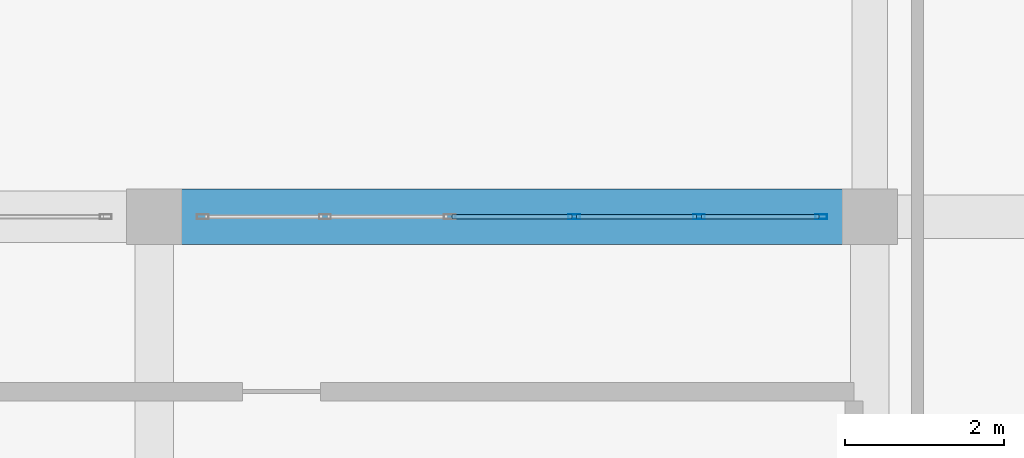
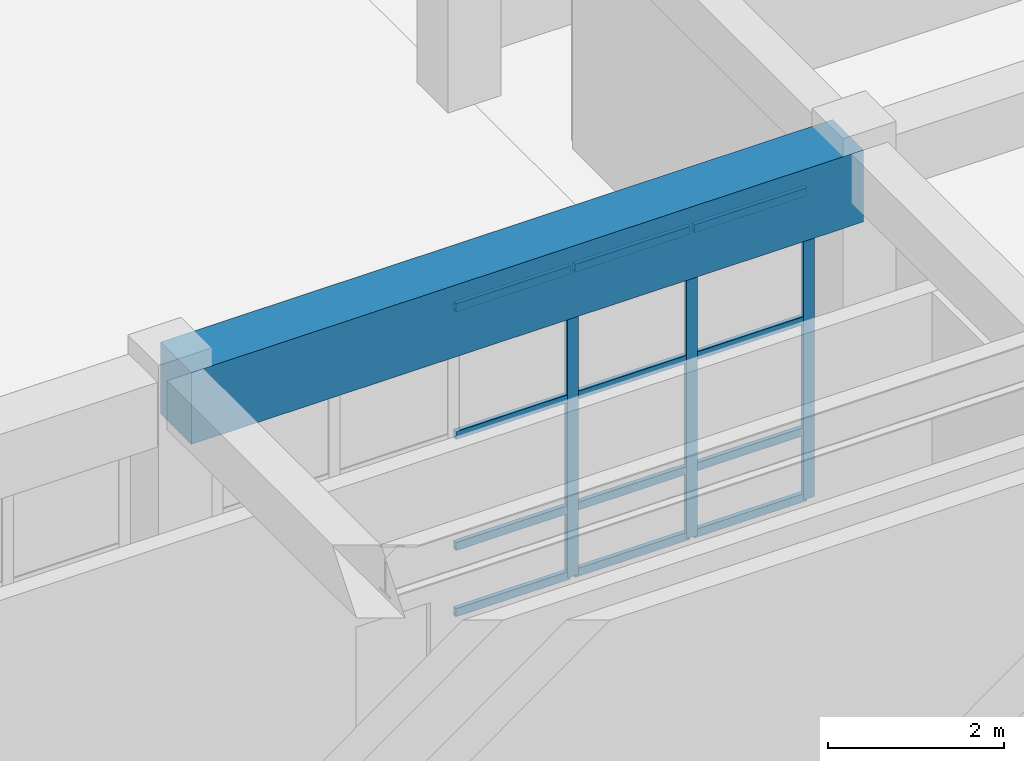
# One storey, part 73 of 128: 15 members, 1 beam, 1 element without a shape of its own.
"""IFC4 building model written with IfcOpenShell, lengths in metres."""

from ifc_helpers import new_model, si_unit, direction, frame, origin, origin_2d, place, context, subcontext, project, spatial, rectangle, hollow_rectangle, extrude, material, material_profile, profile_set, type_object, element, aggregate, save


model = new_model("IFC4")

# Units and contexts
model_context = context("Model", 3, precision=1e-05, world=origin(), true_north=direction((0.0, 1.0)))
body_context = subcontext(model_context, "Body", "Model", "MODEL_VIEW")
ifc_project = project(units=[si_unit("LENGTHUNIT", "METRE"), si_unit("AREAUNIT", "SQUARE_METRE"), si_unit("VOLUMEUNIT", "CUBIC_METRE"), si_unit("PLANEANGLEUNIT", "RADIAN"), si_unit("MASSUNIT", "GRAM", prefix="KILO")], contexts=[model_context])

# Site, building, storey
site_placement = place(None, origin())
site = spatial("IfcSite", under=ifc_project, at=site_placement, CompositionType="ELEMENT")
building_placement = place(site_placement, origin())
building = spatial("IfcBuilding", under=site, at=building_placement, Name="Miravela Opera House", CompositionType="ELEMENT")
storey_placement = place(building_placement, origin())
storey = spatial("IfcBuildingStorey", under=building, at=storey_placement, Name="L00", CompositionType="ELEMENT", Elevation=0.0)

# Curtain wall, members
ifc_material_1 = material(Name="Anodised architectural bronze aluminium 6063-T6", Category="aluminium")
curtain_wall_type = type_object("IfcCurtainWallType", Name="ARC-CW-06", PredefinedType="NOTDEFINED", material=ifc_material_1)
curtain_wall_placement = place(storey_placement, origin())
curtain_wall = element("IfcCurtainWall", 1, at=curtain_wall_placement, inside=storey, type_object=curtain_wall_type, Name="Courtyard Arcade Curtain Wall CW-L00-167", PredefinedType="NOTDEFINED")
ifc_material_profile_1 = material_profile(ifc_material_1, hollow_rectangle(XDim=0.06005859375, YDim=0.14990234375, WallThickness=0.00390625, InnerFilletRadius=0.001953125, OuterFilletRadius=0.00390625, at=origin_2d()), Name="CWM-60X150")
ifc_profile_set_1 = profile_set([ifc_material_profile_1])
member_type_1 = type_object("IfcMemberType", Name="ARC-CWM-150", PredefinedType="MULLION", material=ifc_profile_set_1)
member_1_placement = place(storey_placement, frame((140.283935546875, 9.0, 0.0), z_axis=(0.0, 0.0, 1.0), x_axis=(0.0, 1.0, 0.0)))
member_1 = element("IfcMember", 2, at=member_1_placement, type_object=member_type_1, Name="CW-06 mullion 4", PredefinedType="MULLION", context=body_context, shape_type="SweptSolid", body=[
    extrude(hollow_rectangle(XDim=0.06005859375, YDim=0.14990234375, WallThickness=0.00390625, InnerFilletRadius=0.001953125, OuterFilletRadius=0.00390625, at=origin_2d()), origin(), (0.0, 0.0, 1.0), 4.300048828125),
])
member_2_placement = place(storey_placement, frame((141.85205078125, 9.0, 0.0), z_axis=(0.0, 0.0, 1.0), x_axis=(0.0, 1.0, 0.0)))
member_2 = element("IfcMember", 3, at=member_2_placement, type_object=member_type_1, Name="CW-06 mullion 5", PredefinedType="MULLION", context=body_context, shape_type="SweptSolid", body=[
    extrude(hollow_rectangle(XDim=0.06005859375, YDim=0.14990234375, WallThickness=0.00390625, InnerFilletRadius=0.001953125, OuterFilletRadius=0.00390625, at=origin_2d()), origin(), (0.0, 0.0, 1.0), 4.300048828125),
])
member_3_placement = place(storey_placement, frame((143.389892578125, 9.0, 0.0), z_axis=(0.0, 0.0, 1.0), x_axis=(0.0, 1.0, 0.0)))
member_3 = element("IfcMember", 4, at=member_3_placement, type_object=member_type_1, Name="CW-06 mullion 6", PredefinedType="MULLION", context=body_context, shape_type="SweptSolid", body=[
    extrude(hollow_rectangle(XDim=0.06005859375, YDim=0.14990234375, WallThickness=0.00390625, InnerFilletRadius=0.001953125, OuterFilletRadius=0.00390625, at=origin_2d()), origin(), (0.0, 0.0, 1.0), 4.300048828125),
])
ifc_material_profile_2 = material_profile(ifc_material_1, hollow_rectangle(XDim=0.06005859375, YDim=0.114990234375, WallThickness=0.00390625, InnerFilletRadius=0.001953125, OuterFilletRadius=0.00390625, at=origin_2d()), Name="CWT-60X115")
ifc_profile_set_2 = profile_set([ifc_material_profile_2])
member_type_2 = type_object("IfcMemberType", Name="ARC-CWT-115", PredefinedType="USERDEFINED", material=ifc_profile_set_2)
member_4_placement = place(storey_placement, frame((138.74609375, 9.0, 0.030029296875), z_axis=(1.0, 0.0, 0.0), x_axis=(0.0, 1.0, 0.0)))
member_4 = element("IfcMember", 5, at=member_4_placement, type_object=member_type_2, Name="CW-06 transom 3.1", ObjectType="TRANSOM", PredefinedType="USERDEFINED", context=body_context, shape_type="SweptSolid", body=[
    extrude(hollow_rectangle(XDim=0.06005859375, YDim=0.114990234375, WallThickness=0.00390625, InnerFilletRadius=0.001953125, OuterFilletRadius=0.00390625, at=origin_2d()), origin(), (0.0, 0.0, 1.0), 1.5078125),
])
member_5_placement = place(storey_placement, frame((138.74609375, 9.0, 0.949951171875), z_axis=(1.0, 0.0, 0.0), x_axis=(0.0, 1.0, 0.0)))
member_5 = element("IfcMember", 6, at=member_5_placement, type_object=member_type_2, Name="CW-06 transom 3.2", ObjectType="TRANSOM", PredefinedType="USERDEFINED", context=body_context, shape_type="SweptSolid", body=[
    extrude(hollow_rectangle(XDim=0.06005859375, YDim=0.114990234375, WallThickness=0.00390625, InnerFilletRadius=0.001953125, OuterFilletRadius=0.00390625, at=origin_2d()), origin(), (0.0, 0.0, 1.0), 1.5078125),
])
member_6_placement = place(storey_placement, frame((138.74609375, 9.0, 2.493896484375), z_axis=(1.0, 0.0, 0.0), x_axis=(0.0, 1.0, 0.0)))
member_6 = element("IfcMember", 7, at=member_6_placement, type_object=member_type_2, Name="CW-06 transom 3.3", ObjectType="TRANSOM", PredefinedType="USERDEFINED", context=body_context, shape_type="SweptSolid", body=[
    extrude(hollow_rectangle(XDim=0.06005859375, YDim=0.114990234375, WallThickness=0.00390625, InnerFilletRadius=0.001953125, OuterFilletRadius=0.00390625, at=origin_2d()), origin(), (0.0, 0.0, 1.0), 1.5078125),
])
member_7_placement = place(storey_placement, frame((138.74609375, 9.0, 4.27001953125), z_axis=(1.0, 0.0, 0.0), x_axis=(0.0, 1.0, 0.0)))
member_7 = element("IfcMember", 8, at=member_7_placement, type_object=member_type_2, Name="CW-06 transom 3.4", ObjectType="TRANSOM", PredefinedType="USERDEFINED", context=body_context, shape_type="SweptSolid", body=[
    extrude(hollow_rectangle(XDim=0.06005859375, YDim=0.114990234375, WallThickness=0.00390625, InnerFilletRadius=0.001953125, OuterFilletRadius=0.00390625, at=origin_2d()), origin(), (0.0, 0.0, 1.0), 1.5078125),
])
member_8_placement = place(storey_placement, frame((140.31396484375, 9.0, 0.030029296875), z_axis=(1.0, 0.0, 0.0), x_axis=(0.0, 1.0, 0.0)))
member_8 = element("IfcMember", 9, at=member_8_placement, type_object=member_type_2, Name="CW-06 transom 4.1", ObjectType="TRANSOM", PredefinedType="USERDEFINED", context=body_context, shape_type="SweptSolid", body=[
    extrude(hollow_rectangle(XDim=0.06005859375, YDim=0.114990234375, WallThickness=0.00390625, InnerFilletRadius=0.001953125, OuterFilletRadius=0.00390625, at=origin_2d()), origin(), (0.0, 0.0, 1.0), 1.508056640625),
])
member_9_placement = place(storey_placement, frame((140.31396484375, 9.0, 0.949951171875), z_axis=(1.0, 0.0, 0.0), x_axis=(0.0, 1.0, 0.0)))
member_9 = element("IfcMember", 10, at=member_9_placement, type_object=member_type_2, Name="CW-06 transom 4.2", ObjectType="TRANSOM", PredefinedType="USERDEFINED", context=body_context, shape_type="SweptSolid", body=[
    extrude(hollow_rectangle(XDim=0.06005859375, YDim=0.114990234375, WallThickness=0.00390625, InnerFilletRadius=0.001953125, OuterFilletRadius=0.00390625, at=origin_2d()), origin(), (0.0, 0.0, 1.0), 1.508056640625),
])
member_10_placement = place(storey_placement, frame((140.31396484375, 9.0, 2.493896484375), z_axis=(1.0, 0.0, 0.0), x_axis=(0.0, 1.0, 0.0)))
member_10 = element("IfcMember", 11, at=member_10_placement, type_object=member_type_2, Name="CW-06 transom 4.3", ObjectType="TRANSOM", PredefinedType="USERDEFINED", context=body_context, shape_type="SweptSolid", body=[
    extrude(hollow_rectangle(XDim=0.06005859375, YDim=0.114990234375, WallThickness=0.00390625, InnerFilletRadius=0.001953125, OuterFilletRadius=0.00390625, at=origin_2d()), origin(), (0.0, 0.0, 1.0), 1.508056640625),
])
member_11_placement = place(storey_placement, frame((140.31396484375, 9.0, 4.27001953125), z_axis=(1.0, 0.0, 0.0), x_axis=(0.0, 1.0, 0.0)))
member_11 = element("IfcMember", 12, at=member_11_placement, type_object=member_type_2, Name="CW-06 transom 4.4", ObjectType="TRANSOM", PredefinedType="USERDEFINED", context=body_context, shape_type="SweptSolid", body=[
    extrude(hollow_rectangle(XDim=0.06005859375, YDim=0.114990234375, WallThickness=0.00390625, InnerFilletRadius=0.001953125, OuterFilletRadius=0.00390625, at=origin_2d()), origin(), (0.0, 0.0, 1.0), 1.508056640625),
])
member_12_placement = place(storey_placement, frame((141.882080078125, 9.0, 0.030029296875), z_axis=(1.0, 0.0, 0.0), x_axis=(0.0, 1.0, 0.0)))
member_12 = element("IfcMember", 13, at=member_12_placement, type_object=member_type_2, Name="CW-06 transom 5.1", ObjectType="TRANSOM", PredefinedType="USERDEFINED", context=body_context, shape_type="SweptSolid", body=[
    extrude(hollow_rectangle(XDim=0.06005859375, YDim=0.114990234375, WallThickness=0.00390625, InnerFilletRadius=0.001953125, OuterFilletRadius=0.00390625, at=origin_2d()), origin(), (0.0, 0.0, 1.0), 1.47802734375),
])
member_13_placement = place(storey_placement, frame((141.882080078125, 9.0, 0.949951171875), z_axis=(1.0, 0.0, 0.0), x_axis=(0.0, 1.0, 0.0)))
member_13 = element("IfcMember", 14, at=member_13_placement, type_object=member_type_2, Name="CW-06 transom 5.2", ObjectType="TRANSOM", PredefinedType="USERDEFINED", context=body_context, shape_type="SweptSolid", body=[
    extrude(hollow_rectangle(XDim=0.06005859375, YDim=0.114990234375, WallThickness=0.00390625, InnerFilletRadius=0.001953125, OuterFilletRadius=0.00390625, at=origin_2d()), origin(), (0.0, 0.0, 1.0), 1.47802734375),
])
member_14_placement = place(storey_placement, frame((141.882080078125, 9.0, 2.493896484375), z_axis=(1.0, 0.0, 0.0), x_axis=(0.0, 1.0, 0.0)))
member_14 = element("IfcMember", 15, at=member_14_placement, type_object=member_type_2, Name="CW-06 transom 5.3", ObjectType="TRANSOM", PredefinedType="USERDEFINED", context=body_context, shape_type="SweptSolid", body=[
    extrude(hollow_rectangle(XDim=0.06005859375, YDim=0.114990234375, WallThickness=0.00390625, InnerFilletRadius=0.001953125, OuterFilletRadius=0.00390625, at=origin_2d()), origin(), (0.0, 0.0, 1.0), 1.47802734375),
])
member_15_placement = place(storey_placement, frame((141.882080078125, 9.0, 4.27001953125), z_axis=(1.0, 0.0, 0.0), x_axis=(0.0, 1.0, 0.0)))
member_15 = element("IfcMember", 16, at=member_15_placement, type_object=member_type_2, Name="CW-06 transom 5.4", ObjectType="TRANSOM", PredefinedType="USERDEFINED", context=body_context, shape_type="SweptSolid", body=[
    extrude(hollow_rectangle(XDim=0.06005859375, YDim=0.114990234375, WallThickness=0.00390625, InnerFilletRadius=0.001953125, OuterFilletRadius=0.00390625, at=origin_2d()), origin(), (0.0, 0.0, 1.0), 1.47802734375),
])
aggregate(curtain_wall, [member_1, member_2, member_3, member_4, member_5, member_6, member_7, member_8, member_9, member_10, member_11, member_12, member_13, member_14, member_15])

# Beam
ifc_material_2 = material(Name="Concrete C40/50", Category="concrete")
ifc_material_profile_3 = material_profile(ifc_material_2, rectangle(XDim=0.699951171875, YDim=1.0, at=origin_2d()), Name="RC-BM-700X1000")
ifc_profile_set_3 = profile_set([ifc_material_profile_3])
beam_type = type_object("IfcBeamType", Name="STR-BM-RC700X1000", PredefinedType="BEAM", material=ifc_profile_set_3)
beam_placement = place(storey_placement, frame((135.080078125, 9.0, 4.35009765625), z_axis=(1.0, 0.0, 0.0), x_axis=(0.0, 1.0, 0.0)))
element("IfcBeam", 17, at=beam_placement, inside=storey, type_object=beam_type, Name="Floor Girder L00 16-17/B", PredefinedType="BEAM", context=body_context, shape_type="SweptSolid", body=[
    extrude(rectangle(XDim=0.699951171875, YDim=1.0, at=origin_2d()), origin(), (0.0, 0.0, 1.0), 8.83984375),
])

save(model, "model.ifc")
